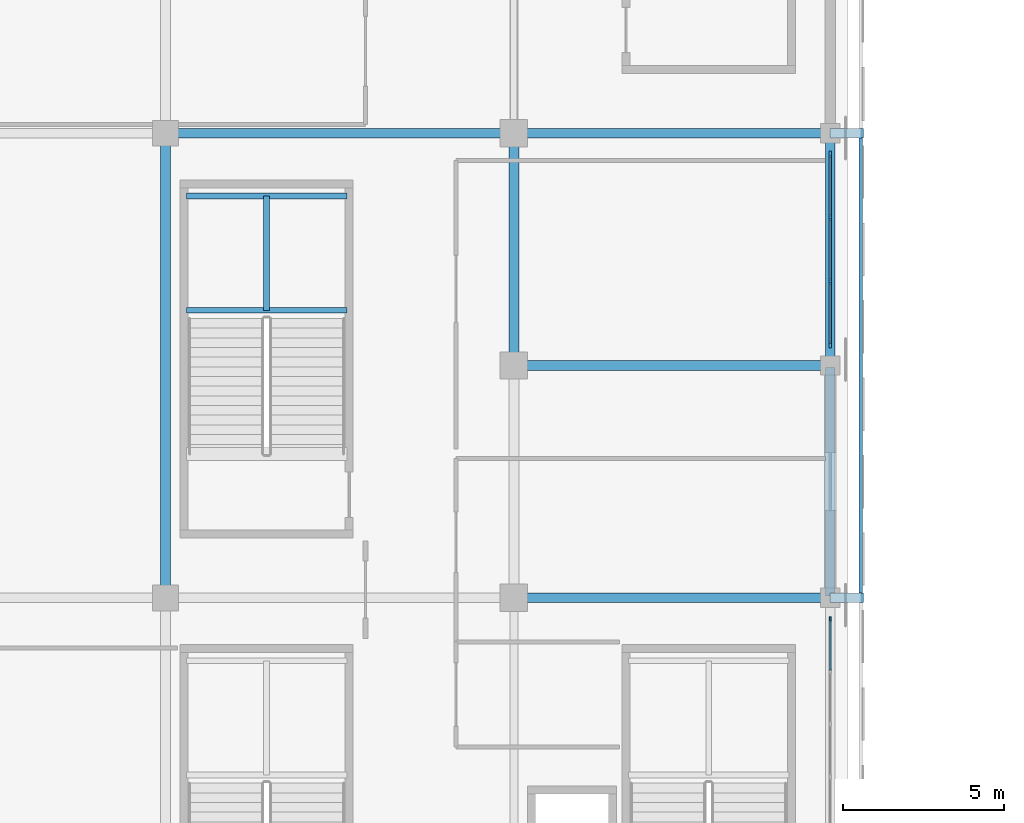
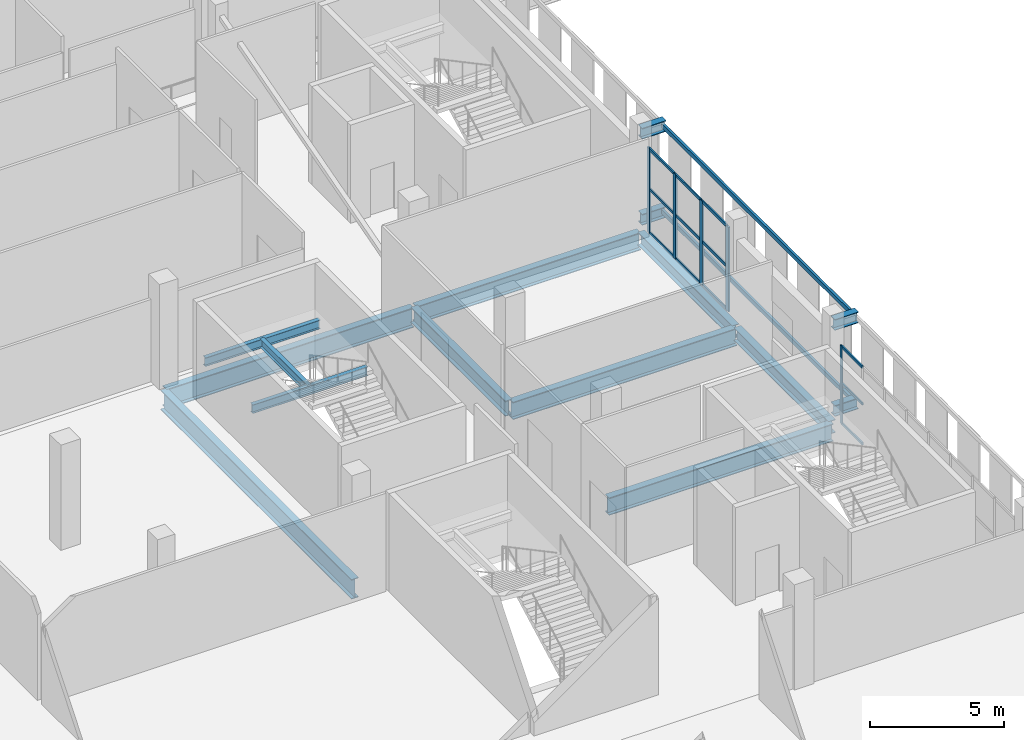
# One storey, part 58 of 142: 19 members, 15 beams, 2 elements without a shape of their own.
"""IFC4 building model written with IfcOpenShell, lengths in metres."""

from ifc_helpers import new_model, si_unit, direction, frame, origin, origin_2d, place, context, subcontext, project, spatial, rectangle, hollow_rectangle, i_section, extrude, material, material_profile, profile_set, type_object, element, aggregate, save


model = new_model("IFC4")

# Units and contexts
model_context = context("Model", 3, precision=1e-05, world=origin(), true_north=direction((0.0, 1.0)))
body_context = subcontext(model_context, "Body", "Model", "MODEL_VIEW")
ifc_project = project(units=[si_unit("LENGTHUNIT", "METRE"), si_unit("AREAUNIT", "SQUARE_METRE"), si_unit("VOLUMEUNIT", "CUBIC_METRE"), si_unit("PLANEANGLEUNIT", "RADIAN"), si_unit("MASSUNIT", "GRAM", prefix="KILO")], contexts=[model_context])

# Site, building, storey
site_placement = place(None, origin())
site = spatial("IfcSite", under=ifc_project, at=site_placement, CompositionType="ELEMENT")
building_placement = place(site_placement, origin())
building = spatial("IfcBuilding", under=site, at=building_placement, Name="Koshinbarg Plaza Stadium", CompositionType="ELEMENT")
storey_placement = place(building_placement, frame((0.0, 0.0, 10.199951171875)))
storey = spatial("IfcBuildingStorey", under=building, at=storey_placement, Name="L02", CompositionType="ELEMENT", Elevation=10.199951171875)

# Beams
ifc_material_1 = material(Name="Steel S355", Category="steel")
ifc_material_profile_1 = material_profile(ifc_material_1, i_section(OverallWidth=0.300048828125, OverallDepth=0.5, WebThickness=0.014404296875, FlangeThickness=0.028076171875, at=origin_2d()), Name="HEB 500")
ifc_profile_set_1 = profile_set([ifc_material_profile_1], Name="Steel S355")
beam_type_1 = type_object("IfcBeamType", Name="BM-CANOPY-CANT", PredefinedType="BEAM", material=ifc_profile_set_1)
for number, where, z_axis, x_axis, name in (
    (1, (218.39990234375, 97.5, 0.25), (1.0, 0.0, 0.0), (0.0, 1.0, 0.0), "Outer screen cantilever outrigger E-L02-Y06"),
    (2, (218.39990234375, 97.5, 4.179931640625), (1.0, 0.0, 0.0), (0.0, 1.0, 0.0), "Outer screen cantilever outrigger E-L02-Y06"),
    (3, (218.39990234375, 111.89990234375, 0.25), (1.0, 0.0, 0.0), (0.0, 1.0, 0.0), "Outer screen cantilever outrigger E-L02-Y07"),
    (4, (218.39990234375, 111.89990234375, 4.179931640625), (1.0, 0.0, 0.0), (0.0, 1.0, 0.0), "Outer screen cantilever outrigger E-L02-Y07"),
):
    element("IfcBeam", number, at=place(storey_placement, frame(where, z_axis=z_axis, x_axis=x_axis)), inside=storey, type_object=beam_type_1, Name=name, PredefinedType="BEAM", context=body_context, shape_type="SweptSolid", body=[
        extrude(i_section(OverallWidth=0.300048828125, OverallDepth=0.5, WebThickness=0.014404296875, FlangeThickness=0.028076171875, at=origin_2d()), origin(), (0.0, 0.0, 1.0), 1.030029296875),
    ])
ifc_material_profile_2 = material_profile(ifc_material_1, i_section(OverallWidth=0.179931640625, OverallDepth=0.39990234375, WebThickness=0.008544921875, FlangeThickness=0.013427734375, at=origin_2d()), Name="IPE 400")
ifc_profile_set_2 = profile_set([ifc_material_profile_2], Name="Steel S355")
beam_type_2 = type_object("IfcBeamType", Name="BM-SBM-01", PredefinedType="BEAM", material=ifc_profile_set_2)
for number, where, z_axis, x_axis, name in (
    (5, (198.449951171875, 106.409912109375, 1.880126953125), (1.0, 0.0, 0.0), (0.0, 1.0, 0.0), "L02 Upper Vomitory Stair VX12 landing trimmer beam 1"),
    (6, (198.449951171875, 109.949951171875, 1.880126953125), (1.0, 0.0, 0.0), (0.0, 1.0, 0.0), "L02 Upper Vomitory Stair VX12 landing trimmer beam 2"),
):
    element("IfcBeam", number, at=place(storey_placement, frame(where, z_axis=z_axis, x_axis=x_axis)), inside=storey, type_object=beam_type_2, Name=name, PredefinedType="BEAM", context=body_context, shape_type="SweptSolid", body=[
        extrude(i_section(OverallWidth=0.179931640625, OverallDepth=0.39990234375, WebThickness=0.008544921875, FlangeThickness=0.013427734375, at=origin_2d()), origin(), (0.0, 0.0, 1.0), 4.969970703125),
    ])
beam_1_placement = place(storey_placement, frame((200.93505859375, 106.409912109375, 1.880126953125), z_axis=(0.0, 1.0, 0.0), x_axis=(-1.0, 0.0, 0.0)))
element("IfcBeam", 7, at=beam_1_placement, inside=storey, type_object=beam_type_2, Name="L02 Upper Vomitory Stair VX12 landing trimmer beam 3", PredefinedType="BEAM", context=body_context, shape_type="SweptSolid", body=[
    extrude(i_section(OverallWidth=0.179931640625, OverallDepth=0.39990234375, WebThickness=0.008544921875, FlangeThickness=0.013427734375, at=origin_2d()), origin(), (0.0, 0.0, 1.0), 3.5400390625),
])
ifc_material_profile_3 = material_profile(ifc_material_1, i_section(OverallWidth=0.300048828125, OverallDepth=0.60009765625, WebThickness=0.015380859375, FlangeThickness=0.030029296875, at=origin_2d()), Name="HEB 600")
ifc_profile_set_3 = profile_set([ifc_material_profile_3], Name="Steel S355")
beam_type_3 = type_object("IfcBeamType", Name="BM-SGIR-02", PredefinedType="USERDEFINED", material=ifc_profile_set_3)
beam_2_placement = place(storey_placement, frame((218.39990234375, 97.56005859375, -0.599853515625), z_axis=(0.0, 1.0, 0.0), x_axis=(-1.0, 0.0, 0.0)))
element("IfcBeam", 8, at=beam_2_placement, inside=storey, type_object=beam_type_3, Name="L02 Y girder 21/N-P", ObjectType="GIRDER", PredefinedType="USERDEFINED", context=body_context, shape_type="SweptSolid", body=[
    extrude(i_section(OverallWidth=0.300048828125, OverallDepth=0.60009765625, WebThickness=0.015380859375, FlangeThickness=0.030029296875, at=origin_2d()), origin(), (0.0, 0.0, 1.0), 7.079833984375),
])
beam_3_placement = place(storey_placement, frame((218.39990234375, 104.760009765625, -0.599853515625), z_axis=(0.0, 1.0, 0.0), x_axis=(-1.0, 0.0, 0.0)))
element("IfcBeam", 9, at=beam_3_placement, inside=storey, type_object=beam_type_3, Name="L02 Y girder 21/P-Q", ObjectType="GIRDER", PredefinedType="USERDEFINED", context=body_context, shape_type="SweptSolid", body=[
    extrude(i_section(OverallWidth=0.300048828125, OverallDepth=0.60009765625, WebThickness=0.015380859375, FlangeThickness=0.030029296875, at=origin_2d()), origin(), (0.0, 0.0, 1.0), 7.080078125),
])
ifc_material_profile_4 = material_profile(ifc_material_1, i_section(OverallWidth=0.300048828125, OverallDepth=0.699951171875, WebThickness=0.01708984375, FlangeThickness=0.031982421875, at=origin_2d()), Name="HEB 700")
ifc_profile_set_4 = profile_set([ifc_material_profile_4], Name="Steel S355")
beam_type_4 = type_object("IfcBeamType", Name="BM-SGIR-03", PredefinedType="USERDEFINED", material=ifc_profile_set_4)
beam_4_placement = place(storey_placement, frame((208.60009765625, 104.760009765625, -0.64990234375), z_axis=(0.0, 1.0, 0.0), x_axis=(-1.0, 0.0, 0.0)))
element("IfcBeam", 10, at=beam_4_placement, inside=storey, type_object=beam_type_4, Name="L02 Y girder 20/P-Q", ObjectType="GIRDER", PredefinedType="USERDEFINED", context=body_context, shape_type="SweptSolid", body=[
    extrude(i_section(OverallWidth=0.300048828125, OverallDepth=0.699951171875, WebThickness=0.01708984375, FlangeThickness=0.031982421875, at=origin_2d()), origin(), (0.0, 0.0, 1.0), 7.080078125),
])
ifc_material_profile_5 = material_profile(ifc_material_1, i_section(OverallWidth=0.300048828125, OverallDepth=0.800048828125, WebThickness=0.017578125, FlangeThickness=0.032958984375, at=origin_2d()), Name="HEB 800")
ifc_profile_set_5 = profile_set([ifc_material_profile_5], Name="Steel S355")
beam_type_5 = type_object("IfcBeamType", Name="BM-SGIR-04", PredefinedType="USERDEFINED", material=ifc_profile_set_5)
for number, where, z_axis, x_axis, name in (
    (11, (208.659912109375, 97.5, -0.699951171875), (1.0, 0.0, 0.0), (0.0, 1.0, 0.0), "L02 X girder N/20-21"),
    (12, (208.659912109375, 104.699951171875, -0.699951171875), (1.0, 0.0, 0.0), (0.0, 1.0, 0.0), "L02 X girder P/20-21"),
    (13, (208.659912109375, 111.89990234375, -0.699951171875), (1.0, 0.0, 0.0), (0.0, 1.0, 0.0), "L02 X girder Q/20-21"),
):
    element("IfcBeam", number, at=place(storey_placement, frame(where, z_axis=z_axis, x_axis=x_axis)), inside=storey, type_object=beam_type_5, Name=name, ObjectType="GIRDER", PredefinedType="USERDEFINED", context=body_context, shape_type="SweptSolid", body=[
        extrude(i_section(OverallWidth=0.300048828125, OverallDepth=0.800048828125, WebThickness=0.017578125, FlangeThickness=0.032958984375, at=origin_2d()), origin(), (0.0, 0.0, 1.0), 9.68017578125),
    ])
ifc_material_profile_6 = material_profile(ifc_material_1, i_section(OverallWidth=0.300048828125, OverallDepth=0.89990234375, WebThickness=0.0185546875, FlangeThickness=0.034912109375, at=origin_2d()), Name="HEB 900")
ifc_profile_set_6 = profile_set([ifc_material_profile_6], Name="Steel S355")
beam_type_6 = type_object("IfcBeamType", Name="BM-SGIR-05", PredefinedType="USERDEFINED", material=ifc_profile_set_6)
beam_5_placement = place(storey_placement, frame((197.860107421875, 111.89990234375, -0.75), z_axis=(1.0, 0.0, 0.0), x_axis=(0.0, 1.0, 0.0)))
element("IfcBeam", 14, at=beam_5_placement, inside=storey, type_object=beam_type_6, Name="L02 X girder Q/19-20", ObjectType="GIRDER", PredefinedType="USERDEFINED", context=body_context, shape_type="SweptSolid", body=[
    extrude(i_section(OverallWidth=0.300048828125, OverallDepth=0.89990234375, WebThickness=0.0185546875, FlangeThickness=0.034912109375, at=origin_2d()), origin(), (0.0, 0.0, 1.0), 10.679931640625),
])
beam_6_placement = place(storey_placement, frame((197.800048828125, 97.56005859375, -0.75), z_axis=(0.0, 1.0, 0.0), x_axis=(-1.0, 0.0, 0.0)))
element("IfcBeam", 15, at=beam_6_placement, inside=storey, type_object=beam_type_6, Name="L02 Y girder 19/N-Q", ObjectType="GIRDER", PredefinedType="USERDEFINED", context=body_context, shape_type="SweptSolid", body=[
    extrude(i_section(OverallWidth=0.300048828125, OverallDepth=0.89990234375, WebThickness=0.0185546875, FlangeThickness=0.034912109375, at=origin_2d()), origin(), (0.0, 0.0, 1.0), 14.280029296875),
])

# Curtain wall, member
ifc_material_2 = material(Name="Thermally broken anodised aluminium and low-E double glazing", Category="aluminium")
curtain_wall_type_1 = type_object("IfcCurtainWallType", Name="CW-SYS-09", PredefinedType="NOTDEFINED", material=ifc_material_2)
curtain_wall_1_placement = place(storey_placement, origin())
curtain_wall_1 = element("IfcCurtainWall", 16, at=curtain_wall_1_placement, inside=storey, type_object=curtain_wall_type_1, Name="L02 unitised curtain wall CW-L02-056", PredefinedType="NOTDEFINED")
ifc_material_3 = material(Name="Anodised aluminium mullion", Category="aluminium")
ifc_material_profile_7 = material_profile(ifc_material_3, rectangle(XDim=0.06005859375, YDim=0.139892578125, at=origin_2d()), Name="ALU 60x140")
ifc_profile_set_7 = profile_set([ifc_material_profile_7], Name="Anodised aluminium mullion")
member_type_1 = type_object("IfcMemberType", Name="CW-MUL-01", PredefinedType="MULLION", material=ifc_profile_set_7)
member_1_placement = place(storey_placement, frame((218.39990234375, 96.85009765625, 0.0), z_axis=(0.0, 0.0, 1.0), x_axis=(1.0, 0.0, 0.0)))
member_1 = element("IfcMember", 17, at=member_1_placement, type_object=member_type_1, Name="CW09 mullion 1", PredefinedType="MULLION", context=body_context, shape_type="SweptSolid", body=[
    extrude(rectangle(XDim=0.06005859375, YDim=0.139892578125, at=origin_2d()), origin(), (0.0, 0.0, 1.0), 3.56005859375),
])

# Curtain wall, members
curtain_wall_type_2 = type_object("IfcCurtainWallType", Name="CW-SYS-08", PredefinedType="NOTDEFINED", material=ifc_material_2)
curtain_wall_2_placement = place(storey_placement, origin())
curtain_wall_2 = element("IfcCurtainWall", 18, at=curtain_wall_2_placement, inside=storey, type_object=curtain_wall_type_2, Name="L02 unitised curtain wall CW-L02-055", PredefinedType="NOTDEFINED")
ifc_material_profile_8 = material_profile(ifc_material_3, rectangle(XDim=0.070068359375, YDim=0.199951171875, at=origin_2d()), Name="ALU 70x200")
ifc_profile_set_8 = profile_set([ifc_material_profile_8], Name="Anodised aluminium mullion")
member_type_2 = type_object("IfcMemberType", Name="CW-MUL-04", PredefinedType="MULLION", material=ifc_profile_set_8)
member_2_placement = place(storey_placement, frame((218.39990234375, 111.25, 0.0), z_axis=(0.0, 0.0, 1.0), x_axis=(1.0, 0.0, 0.0)))
member_2 = element("IfcMember", 19, at=member_2_placement, type_object=member_type_2, Name="CW08 mullion 1", PredefinedType="MULLION", context=body_context, shape_type="SweptSolid", body=[
    extrude(rectangle(XDim=0.070068359375, YDim=0.199951171875, at=origin_2d()), origin(), (0.0, 0.0, 1.0), 3.860107421875),
])
member_3_placement = place(storey_placement, frame((218.39990234375, 109.293212890625, 0.0), z_axis=(0.0, 0.0, 1.0), x_axis=(1.0, 0.0, 0.0)))
member_3 = element("IfcMember", 20, at=member_3_placement, type_object=member_type_2, Name="CW08 mullion 2", PredefinedType="MULLION", context=body_context, shape_type="SweptSolid", body=[
    extrude(rectangle(XDim=0.070068359375, YDim=0.199951171875, at=origin_2d()), origin(), (0.0, 0.0, 1.0), 3.860107421875),
])
member_4_placement = place(storey_placement, frame((218.39990234375, 107.306640625, 0.0), z_axis=(0.0, 0.0, 1.0), x_axis=(1.0, 0.0, 0.0)))
member_4 = element("IfcMember", 21, at=member_4_placement, type_object=member_type_2, Name="CW08 mullion 3", PredefinedType="MULLION", context=body_context, shape_type="SweptSolid", body=[
    extrude(rectangle(XDim=0.070068359375, YDim=0.199951171875, at=origin_2d()), origin(), (0.0, 0.0, 1.0), 3.860107421875),
])
member_5_placement = place(storey_placement, frame((218.39990234375, 105.35009765625, 0.0), z_axis=(0.0, 0.0, 1.0), x_axis=(1.0, 0.0, 0.0)))
member_5 = element("IfcMember", 22, at=member_5_placement, type_object=member_type_2, Name="CW08 mullion 4", PredefinedType="MULLION", context=body_context, shape_type="SweptSolid", body=[
    extrude(rectangle(XDim=0.070068359375, YDim=0.199951171875, at=origin_2d()), origin(), (0.0, 0.0, 1.0), 3.860107421875),
])

# Member
ifc_material_4 = material(Name="Anodised aluminium transom", Category="aluminium")
ifc_material_profile_9 = material_profile(ifc_material_4, rectangle(XDim=0.06005859375, YDim=0.110107421875, at=origin_2d()), Name="ALU 60x110")
ifc_profile_set_9 = profile_set([ifc_material_profile_9], Name="Anodised aluminium transom")
member_type_3 = type_object("IfcMemberType", Name="CW-TRN-01", PredefinedType="USERDEFINED", material=ifc_profile_set_9)
member_6_placement = place(storey_placement, frame((218.39990234375, 96.820068359375, 0.030029296875), z_axis=(0.0, -1.0, 0.0), x_axis=(1.0, 0.0, 0.0)))
member_6 = element("IfcMember", 23, at=member_6_placement, type_object=member_type_3, Name="CW09 transom 1.1", ObjectType="TRANSOM", PredefinedType="USERDEFINED", context=body_context, shape_type="SweptSolid", body=[
    extrude(rectangle(XDim=0.06005859375, YDim=0.110107421875, at=origin_2d()), origin(), (0.0, 0.0, 1.0), 1.55517578125),
])

member_7_placement = place(storey_placement, frame((218.39990234375, 96.820068359375, 1.851318359375), z_axis=(0.0, -1.0, 0.0), x_axis=(1.0, 0.0, 0.0)))
member_7 = element("IfcMember", 24, at=member_7_placement, type_object=member_type_3, Name="CW09 transom 1.2", ObjectType="TRANSOM", PredefinedType="USERDEFINED", context=body_context, shape_type="SweptSolid", body=[
    extrude(rectangle(XDim=0.06005859375, YDim=0.110107421875, at=origin_2d()), origin(), (0.0, 0.0, 1.0), 1.55517578125),
])

member_8_placement = place(storey_placement, frame((218.39990234375, 96.820068359375, 3.530029296875), z_axis=(0.0, -1.0, 0.0), x_axis=(1.0, 0.0, 0.0)))
member_8 = element("IfcMember", 25, at=member_8_placement, type_object=member_type_3, Name="CW09 transom 1.3", ObjectType="TRANSOM", PredefinedType="USERDEFINED", context=body_context, shape_type="SweptSolid", body=[
    extrude(rectangle(XDim=0.06005859375, YDim=0.110107421875, at=origin_2d()), origin(), (0.0, 0.0, 1.0), 1.55517578125),
])

aggregate(curtain_wall_1, [member_1, member_6, member_7, member_8])

ifc_material_profile_10 = material_profile(ifc_material_4, rectangle(XDim=0.06005859375, YDim=0.1298828125, at=origin_2d()), Name="ALU 60x130")
ifc_profile_set_10 = profile_set([ifc_material_profile_10], Name="Anodised aluminium transom")
member_type_4 = type_object("IfcMemberType", Name="CW-TRN-02", PredefinedType="USERDEFINED", material=ifc_profile_set_10)
member_9_placement = place(storey_placement, frame((218.39990234375, 111.219970703125, 0.030029296875), z_axis=(0.0, -1.0, 0.0), x_axis=(1.0, 0.0, 0.0)))
member_9 = element("IfcMember", 26, at=member_9_placement, type_object=member_type_4, Name="CW08 transom 1.1", ObjectType="TRANSOM", PredefinedType="USERDEFINED", context=body_context, shape_type="SweptSolid", body=[
    extrude(rectangle(XDim=0.06005859375, YDim=0.1298828125, at=origin_2d()), origin(), (0.0, 0.0, 1.0), 1.896728515625),
])

member_10_placement = place(storey_placement, frame((218.39990234375, 111.219970703125, 2.00732421875), z_axis=(0.0, -1.0, 0.0), x_axis=(1.0, 0.0, 0.0)))
member_10 = element("IfcMember", 27, at=member_10_placement, type_object=member_type_4, Name="CW08 transom 1.2", ObjectType="TRANSOM", PredefinedType="USERDEFINED", context=body_context, shape_type="SweptSolid", body=[
    extrude(rectangle(XDim=0.06005859375, YDim=0.1298828125, at=origin_2d()), origin(), (0.0, 0.0, 1.0), 1.896728515625),
])

member_11_placement = place(storey_placement, frame((218.39990234375, 111.219970703125, 3.830078125), z_axis=(0.0, -1.0, 0.0), x_axis=(1.0, 0.0, 0.0)))
member_11 = element("IfcMember", 28, at=member_11_placement, type_object=member_type_4, Name="CW08 transom 1.3", ObjectType="TRANSOM", PredefinedType="USERDEFINED", context=body_context, shape_type="SweptSolid", body=[
    extrude(rectangle(XDim=0.06005859375, YDim=0.1298828125, at=origin_2d()), origin(), (0.0, 0.0, 1.0), 1.896728515625),
])

member_12_placement = place(storey_placement, frame((218.39990234375, 109.263427734375, 0.030029296875), z_axis=(0.0, -1.0, 0.0), x_axis=(1.0, 0.0, 0.0)))
member_12 = element("IfcMember", 29, at=member_12_placement, type_object=member_type_4, Name="CW08 transom 2.1", ObjectType="TRANSOM", PredefinedType="USERDEFINED", context=body_context, shape_type="SweptSolid", body=[
    extrude(rectangle(XDim=0.06005859375, YDim=0.1298828125, at=origin_2d()), origin(), (0.0, 0.0, 1.0), 1.9267578125),
])

member_13_placement = place(storey_placement, frame((218.39990234375, 109.263427734375, 2.00732421875), z_axis=(0.0, -1.0, 0.0), x_axis=(1.0, 0.0, 0.0)))
member_13 = element("IfcMember", 30, at=member_13_placement, type_object=member_type_4, Name="CW08 transom 2.2", ObjectType="TRANSOM", PredefinedType="USERDEFINED", context=body_context, shape_type="SweptSolid", body=[
    extrude(rectangle(XDim=0.06005859375, YDim=0.1298828125, at=origin_2d()), origin(), (0.0, 0.0, 1.0), 1.9267578125),
])

member_14_placement = place(storey_placement, frame((218.39990234375, 109.263427734375, 3.830078125), z_axis=(0.0, -1.0, 0.0), x_axis=(1.0, 0.0, 0.0)))
member_14 = element("IfcMember", 31, at=member_14_placement, type_object=member_type_4, Name="CW08 transom 2.3", ObjectType="TRANSOM", PredefinedType="USERDEFINED", context=body_context, shape_type="SweptSolid", body=[
    extrude(rectangle(XDim=0.06005859375, YDim=0.1298828125, at=origin_2d()), origin(), (0.0, 0.0, 1.0), 1.9267578125),
])

member_15_placement = place(storey_placement, frame((218.39990234375, 107.276611328125, 0.030029296875), z_axis=(0.0, -1.0, 0.0), x_axis=(1.0, 0.0, 0.0)))
member_15 = element("IfcMember", 32, at=member_15_placement, type_object=member_type_4, Name="CW08 transom 3.1", ObjectType="TRANSOM", PredefinedType="USERDEFINED", context=body_context, shape_type="SweptSolid", body=[
    extrude(rectangle(XDim=0.06005859375, YDim=0.1298828125, at=origin_2d()), origin(), (0.0, 0.0, 1.0), 1.896728515625),
])

member_16_placement = place(storey_placement, frame((218.39990234375, 107.276611328125, 2.00732421875), z_axis=(0.0, -1.0, 0.0), x_axis=(1.0, 0.0, 0.0)))
member_16 = element("IfcMember", 33, at=member_16_placement, type_object=member_type_4, Name="CW08 transom 3.2", ObjectType="TRANSOM", PredefinedType="USERDEFINED", context=body_context, shape_type="SweptSolid", body=[
    extrude(rectangle(XDim=0.06005859375, YDim=0.1298828125, at=origin_2d()), origin(), (0.0, 0.0, 1.0), 1.896728515625),
])

member_17_placement = place(storey_placement, frame((218.39990234375, 107.276611328125, 3.830078125), z_axis=(0.0, -1.0, 0.0), x_axis=(1.0, 0.0, 0.0)))
member_17 = element("IfcMember", 34, at=member_17_placement, type_object=member_type_4, Name="CW08 transom 3.3", ObjectType="TRANSOM", PredefinedType="USERDEFINED", context=body_context, shape_type="SweptSolid", body=[
    extrude(rectangle(XDim=0.06005859375, YDim=0.1298828125, at=origin_2d()), origin(), (0.0, 0.0, 1.0), 1.896728515625),
])

aggregate(curtain_wall_2, [member_2, member_3, member_4, member_5, member_9, member_10, member_11, member_12, member_13, member_14, member_15, member_16, member_17])

# Members
ifc_material_profile_11 = material_profile(ifc_material_1, hollow_rectangle(XDim=0.10009765625, YDim=0.199951171875, WallThickness=0.008056640625, at=origin_2d()), Name="RHS 200x100x8")
ifc_profile_set_11 = profile_set([ifc_material_profile_11], Name="Steel S355")
member_type_5 = type_object("IfcMemberType", Name="MB-PURL-03", PredefinedType="PURLIN", material=ifc_profile_set_11)
for number, where, z_axis, x_axis, name in (
    (35, (219.35009765625, 97.5, 0.25), (0.0, 1.0, 0.0), (-1.0, 0.0, 0.0), "L02 outer screen subframe rail E-6-BOT"),
    (36, (219.35009765625, 97.5, 4.179931640625), (0.0, 1.0, 0.0), (-1.0, 0.0, 0.0), "L02 outer screen subframe rail E-6-TOP"),
):
    element("IfcMember", number, at=place(storey_placement, frame(where, z_axis=z_axis, x_axis=x_axis)), inside=storey, type_object=member_type_5, Name=name, PredefinedType="PURLIN", context=body_context, shape_type="SweptSolid", body=[
        extrude(hollow_rectangle(XDim=0.10009765625, YDim=0.199951171875, WallThickness=0.008056640625, at=origin_2d()), origin(), (0.0, 0.0, 1.0), 14.39990234375),
    ])

save(model, "model.ifc")
